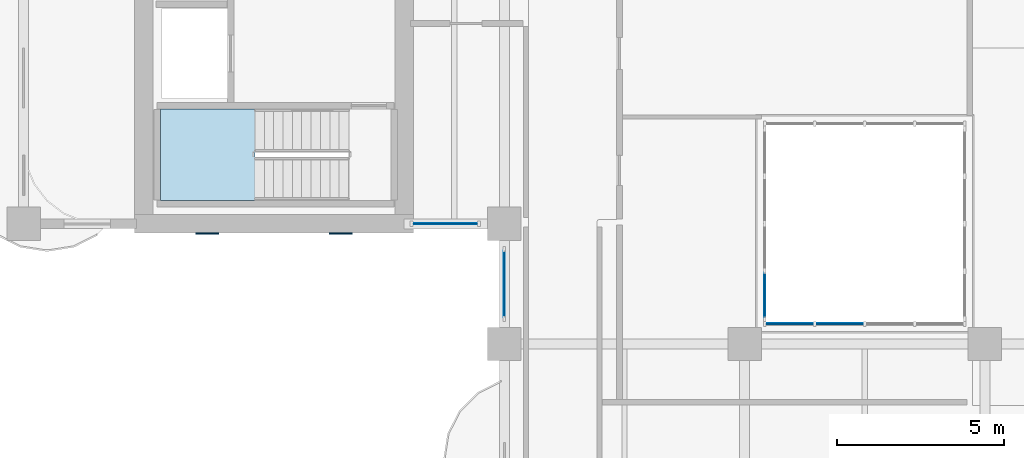
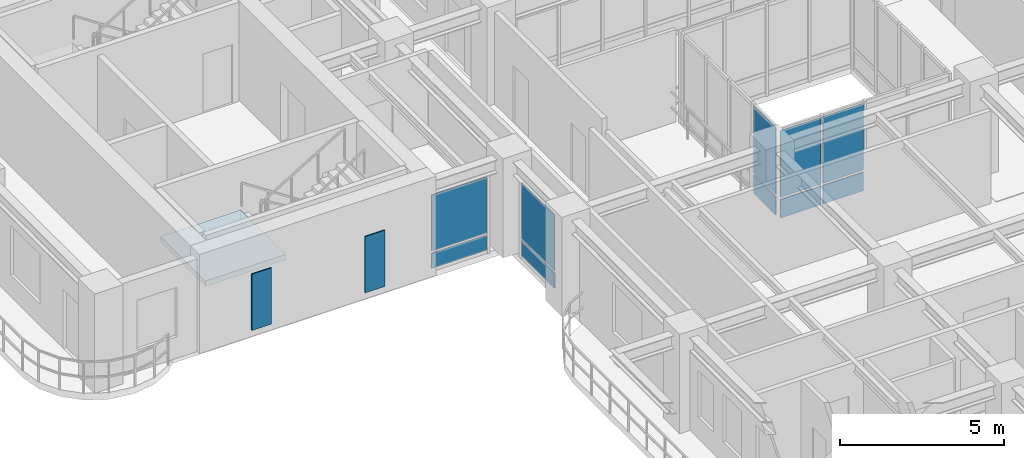
# One storey, part 8 of 20: 12 plates, 1 slab, 5 elements without a shape of their own.
"""IFC4 building model written with IfcOpenShell, lengths in metres."""

from ifc_helpers import new_model, si_unit, derived_unit, direction, frame, origin, origin_2d, place, context, subcontext, project, spatial, polyline, rectangle, outline, extrude, source, transform, mapped, material, layer, layer_set, type_object, type_shapes, element, aggregate, save


model = new_model("IFC4")

# Units and contexts
model_context = context("Model", 3, precision=1e-05, world=origin(), true_north=direction((0.0, 1.0)))
body_context = subcontext(model_context, "Body", "Model", "MODEL_VIEW")
ifc_project = project(units=[si_unit("LENGTHUNIT", "METRE"), si_unit("AREAUNIT", "SQUARE_METRE"), si_unit("VOLUMEUNIT", "CUBIC_METRE"), si_unit("PLANEANGLEUNIT", "RADIAN"), si_unit("MASSUNIT", "GRAM", prefix="KILO"), si_unit("THERMODYNAMICTEMPERATUREUNIT", "KELVIN"), si_unit("POWERUNIT", "WATT"), derived_unit("THERMALTRANSMITTANCEUNIT", [(si_unit("POWERUNIT", "WATT"), 1), (si_unit("AREAUNIT", "SQUARE_METRE"), -1), (si_unit("THERMODYNAMICTEMPERATUREUNIT", "KELVIN"), -1)])], contexts=[model_context])

# Site, building, storey
site_placement = place(None, origin())
site = spatial("IfcSite", under=ifc_project, at=site_placement, CompositionType="ELEMENT")
building_placement = place(site_placement, origin())
building = spatial("IfcBuilding", under=site, at=building_placement, Name="Zahravan Archway Hotel and Residences", CompositionType="ELEMENT")
storey_placement = place(building_placement, frame((0.0, 0.0, 126.60009765625)))
storey = spatial("IfcBuildingStorey", under=building, at=storey_placement, Name="L31", CompositionType="ELEMENT", Elevation=126.60009765625)

# Stair, slab
ifc_material_1 = material(Name="Concrete C50/60", Category="concrete")
stair_type = type_object("IfcStairType", Name="STR-CORE-1300", PredefinedType="HALF_TURN_STAIR", material=ifc_material_1)
stair_placement = place(storey_placement, origin())
stair = element("IfcStair", 1, at=stair_placement, inside=storey, type_object=stair_type, Name="L31 Core B Exit Stair 1", PredefinedType="HALF_TURN_STAIR")
ifc_layer_1 = layer(ifc_material_1, 0.199951171875, Name="Concrete C50/60", Category="concrete")
ifc_layer_set_1 = layer_set([ifc_layer_1], Name="Concrete C50/60")
slab_type = type_object("IfcSlabType", Name="SLB-LND-200", PredefinedType="LANDING", material=ifc_layer_set_1)
slab_placement = place(storey_placement, frame((0.0, 0.0, 1.64990234375)))
slab = element("IfcSlab", 2, at=slab_placement, type_object=slab_type, Name="ST-B1 landing 1", PredefinedType="LANDING", context=body_context, shape_type="SweptSolid", body=[
    extrude(outline(polyline([(6.929931640625, 28.639892578125), (4.10009765625, 28.639892578125), (4.10009765625, 25.89990234375), (6.929931640625, 25.89990234375), (6.929931640625, 28.639892578125)])), origin(), (0.0, 0.0, 1.0), 0.199951171875),
])
aggregate(stair, [slab])

# Plates
ifc_material_2 = material(Name="Perforated Cast Bronze Jali Lattice")
ifc_layer_2 = layer(ifc_material_2, 0.044921875, Name="Perforated Cast Bronze Jali Lattice")
ifc_layer_set_2 = layer_set([ifc_layer_2], Name="Perforated Cast Bronze Jali Lattice")
plate_type_1 = type_object("IfcPlateType", Name="PLT-JALI-BAY", PredefinedType="USERDEFINED", material=ifc_layer_set_2)
shared_shape_1 = source(origin(), body_context, "Body", "SweptSolid", [
    extrude(rectangle(XDim=0.699951171875, YDim=0.044921875, at=origin_2d()), origin(), (0.0, 0.0, 1.0), 2.10009765625),
])
type_shapes(plate_type_1, [shared_shape_1])
for number, where, z_axis, x_axis, name in (
    (3, (5.5, 24.906982421875, 0.249755859375), (0.0, 0.0, 1.0), (1.0, 0.0, 0.0), "L31 Core B South Mughal Jali Screen 1"),
    (4, (9.5, 24.906982421875, 0.249755859375), (0.0, 0.0, 1.0), (1.0, 0.0, 0.0), "L31 Core B South Mughal Jali Screen 2"),
):
    element("IfcPlate", number, at=place(storey_placement, frame(where, z_axis=z_axis, x_axis=x_axis)), inside=storey, type_object=plate_type_1, Name=name, ObjectType="SCREEN", PredefinedType="USERDEFINED", context=body_context, shape_type="MappedRepresentation", body=[
        mapped(shared_shape_1, transform((0.0, 0.0, 0.0), scale=1.0)),
    ])

# Curtain wall, plates
ifc_material_3 = material(Name="Bronze-Anodized Unitised Aluminium & Low-E Glass", Category="aluminium")
ifc_layer_3 = layer(ifc_material_3, 0.179931640625, Name="Bronze-Anodized Unitised Aluminium & Low-E Glass", Category="aluminium")
ifc_layer_set_3 = layer_set([ifc_layer_3], Name="Bronze-Anodized Unitised Aluminium & Low-E Glass")
curtain_wall_type = type_object("IfcCurtainWallType", Name="CW-ATR-GLAZ", PredefinedType="NOTDEFINED", material=ifc_layer_set_3)
curtain_wall_1_placement = place(storey_placement, origin())
curtain_wall_1 = element("IfcCurtainWall", 5, at=curtain_wall_1_placement, inside=storey, type_object=curtain_wall_type, Name="L31 Curtain Wall CW-ATR-L31-S-1", PredefinedType="NOTDEFINED")
ifc_material_4 = material(Name="Insulated Terracotta Spandrel Panel", Category="masonry")
ifc_layer_4 = layer(ifc_material_4, 0.0400390625, Name="Insulated Terracotta Spandrel Panel", Category="masonry")
ifc_layer_set_4 = layer_set([ifc_layer_4], Name="Insulated Terracotta Spandrel Panel")
plate_type_2 = type_object("IfcPlateType", Name="CWP-SPN-40", PredefinedType="SHEET", material=ifc_layer_set_4)
shared_shape_2 = source(origin(), body_context, "Body", "SweptSolid", [
    extrude(rectangle(XDim=1.419921875, YDim=0.0400390625, at=origin_2d()), origin(), (0.0, 0.0, 1.0), 0.68798828125),
])
plate_1_placement = place(storey_placement, frame((22.949951171875, 22.199951171875, 0.099853515625), z_axis=(0.0, 0.0, 1.0), x_axis=(1.0, 0.0, 0.0)))
plate_1 = element("IfcPlate", 6, at=plate_1_placement, type_object=plate_type_2, Name="CW-ATR-L31-S-1 Spandrel Panel 0", PredefinedType="SHEET", context=body_context, shape_type="MappedRepresentation", body=[
    mapped(shared_shape_2, transform((0.0, 0.0, 0.0), scale=1.0)),
])
plate_2_placement = place(storey_placement, frame((24.449951171875, 22.199951171875, 0.099853515625), z_axis=(0.0, 0.0, 1.0), x_axis=(1.0, 0.0, 0.0)))
plate_2 = element("IfcPlate", 7, at=plate_2_placement, type_object=plate_type_2, Name="CW-ATR-L31-S-1 Spandrel Panel 1", PredefinedType="SHEET", context=body_context, shape_type="MappedRepresentation", body=[
    mapped(shared_shape_2, transform((0.0, 0.0, 0.0), scale=1.0)),
])
ifc_material_5 = material(Name="Double-Silver Low-E Insulated Vision Glass", Category="glass")
ifc_layer_5 = layer(ifc_material_5, 0.028076171875, Name="Double-Silver Low-E Insulated Vision Glass", Category="glass")
ifc_layer_set_5 = layer_set([ifc_layer_5], Name="Double-Silver Low-E Insulated Vision Glass")
plate_type_3 = type_object("IfcPlateType", Name="CWP-GLZ-28", PredefinedType="CURTAIN_PANEL", material=ifc_layer_set_5)
shared_shape_3 = source(origin(), body_context, "Body", "SweptSolid", [
    extrude(rectangle(XDim=1.419921875, YDim=0.028076171875, at=origin_2d()), origin(), (0.0, 0.0, 1.0), 2.48193359375),
])
plate_3_placement = place(storey_placement, frame((22.949951171875, 22.199951171875, 0.867919921875), z_axis=(0.0, 0.0, 1.0), x_axis=(1.0, 0.0, 0.0)))
plate_3 = element("IfcPlate", 8, at=plate_3_placement, type_object=plate_type_3, Name="CW-ATR-L31-S-1 Low-E Vision Panel 0", PredefinedType="CURTAIN_PANEL", context=body_context, shape_type="MappedRepresentation", body=[
    mapped(shared_shape_3, transform((0.0, 0.0, 0.0), scale=1.0)),
])
plate_4_placement = place(storey_placement, frame((24.449951171875, 22.199951171875, 0.867919921875), z_axis=(0.0, 0.0, 1.0), x_axis=(1.0, 0.0, 0.0)))
plate_4 = element("IfcPlate", 9, at=plate_4_placement, type_object=plate_type_3, Name="CW-ATR-L31-S-1 Low-E Vision Panel 1", PredefinedType="CURTAIN_PANEL", context=body_context, shape_type="MappedRepresentation", body=[
    mapped(shared_shape_3, transform((0.0, 0.0, 0.0), scale=1.0)),
])
aggregate(curtain_wall_1, [plate_1, plate_3, plate_2, plate_4])

curtain_wall_2_placement = place(storey_placement, origin())
curtain_wall_2 = element("IfcCurtainWall", 10, at=curtain_wall_2_placement, inside=storey, type_object=curtain_wall_type, Name="L31 Curtain Wall CW-ATR-L31-W-1", PredefinedType="NOTDEFINED")
shared_shape_4 = source(origin(), body_context, "Body", "SweptSolid", [
    extrude(rectangle(XDim=1.344970703125, YDim=0.0400390625, at=origin_2d()), origin(), (0.0, 0.0, 1.0), 0.68798828125),
])
plate_5_placement = place(storey_placement, frame((22.199951171875, 23.0625, 0.099853515625), z_axis=(0.0, 0.0, 1.0), x_axis=(0.0, 1.0, 0.0)))
plate_5 = element("IfcPlate", 11, at=plate_5_placement, type_object=plate_type_2, Name="CW-ATR-L31-W-1 Spandrel Panel 0", PredefinedType="SHEET", context=body_context, shape_type="MappedRepresentation", body=[
    mapped(shared_shape_4, transform((0.0, 0.0, 0.0), scale=1.0)),
])
shared_shape_5 = source(origin(), body_context, "Body", "SweptSolid", [
    extrude(rectangle(XDim=1.344970703125, YDim=0.028076171875, at=origin_2d()), origin(), (0.0, 0.0, 1.0), 2.48193359375),
])
plate_6_placement = place(storey_placement, frame((22.199951171875, 23.0625, 0.867919921875), z_axis=(0.0, 0.0, 1.0), x_axis=(0.0, 1.0, 0.0)))
plate_6 = element("IfcPlate", 12, at=plate_6_placement, type_object=plate_type_3, Name="CW-ATR-L31-W-1 Low-E Vision Panel 0", PredefinedType="CURTAIN_PANEL", context=body_context, shape_type="MappedRepresentation", body=[
    mapped(shared_shape_5, transform((0.0, 0.0, 0.0), scale=1.0)),
])
aggregate(curtain_wall_2, [plate_5, plate_6])

curtain_wall_3_placement = place(storey_placement, origin())
curtain_wall_3 = element("IfcCurtainWall", 13, at=curtain_wall_3_placement, inside=storey, type_object=curtain_wall_type, Name="L31 Curtain Wall CW-L31-WA-WLU-1", PredefinedType="NOTDEFINED")
shared_shape_6 = source(origin(), body_context, "Body", "SweptSolid", [
    extrude(rectangle(XDim=2.0, YDim=0.0400390625, at=origin_2d()), origin(), (0.0, 0.0, 1.0), 0.564453125),
])
plate_7_placement = place(storey_placement, frame((14.39990234375, 23.39990234375, 0.099853515625), z_axis=(0.0, 0.0, 1.0), x_axis=(0.0, 1.0, 0.0)))
plate_7 = element("IfcPlate", 14, at=plate_7_placement, type_object=plate_type_2, Name="CW-L31-WA-WLU-1 Spandrel Panel 0", PredefinedType="SHEET", context=body_context, shape_type="MappedRepresentation", body=[
    mapped(shared_shape_6, transform((0.0, 0.0, 0.0), scale=1.0)),
])
shared_shape_7 = source(origin(), body_context, "Body", "SweptSolid", [
    extrude(rectangle(XDim=2.0, YDim=0.028076171875, at=origin_2d()), origin(), (0.0, 0.0, 1.0), 2.090576171875),
])
plate_8_placement = place(storey_placement, frame((14.39990234375, 23.39990234375, 0.744140625), z_axis=(0.0, 0.0, 1.0), x_axis=(0.0, 1.0, 0.0)))
plate_8 = element("IfcPlate", 15, at=plate_8_placement, type_object=plate_type_3, Name="CW-L31-WA-WLU-1 Low-E Vision Panel 0", PredefinedType="CURTAIN_PANEL", context=body_context, shape_type="MappedRepresentation", body=[
    mapped(shared_shape_7, transform((0.0, 0.0, 0.0), scale=1.0)),
])
aggregate(curtain_wall_3, [plate_7, plate_8])

curtain_wall_4_placement = place(storey_placement, origin())
curtain_wall_4 = element("IfcCurtainWall", 16, at=curtain_wall_4_placement, inside=storey, type_object=curtain_wall_type, Name="L31 Curtain Wall CW-L31-WB-SE-1", PredefinedType="NOTDEFINED")
shared_shape_8 = source(origin(), body_context, "Body", "SweptSolid", [
    extrude(rectangle(XDim=1.93994140625, YDim=0.0400390625, at=origin_2d()), origin(), (0.0, 0.0, 1.0), 0.564453125),
])
plate_9_placement = place(storey_placement, frame((12.6298828125, 25.199951171875, 0.099853515625), z_axis=(0.0, 0.0, 1.0), x_axis=(1.0, 0.0, 0.0)))
plate_9 = element("IfcPlate", 17, at=plate_9_placement, type_object=plate_type_2, Name="CW-L31-WB-SE-1 Spandrel Panel 0", PredefinedType="SHEET", context=body_context, shape_type="MappedRepresentation", body=[
    mapped(shared_shape_8, transform((0.0, 0.0, 0.0), scale=1.0)),
])
shared_shape_9 = source(origin(), body_context, "Body", "SweptSolid", [
    extrude(rectangle(XDim=1.93994140625, YDim=0.028076171875, at=origin_2d()), origin(), (0.0, 0.0, 1.0), 2.090576171875),
])
plate_10_placement = place(storey_placement, frame((12.6298828125, 25.199951171875, 0.744140625), z_axis=(0.0, 0.0, 1.0), x_axis=(1.0, 0.0, 0.0)))
plate_10 = element("IfcPlate", 18, at=plate_10_placement, type_object=plate_type_3, Name="CW-L31-WB-SE-1 Low-E Vision Panel 0", PredefinedType="CURTAIN_PANEL", context=body_context, shape_type="MappedRepresentation", body=[
    mapped(shared_shape_9, transform((0.0, 0.0, 0.0), scale=1.0)),
])
aggregate(curtain_wall_4, [plate_9, plate_10])

save(model, "model.ifc")
